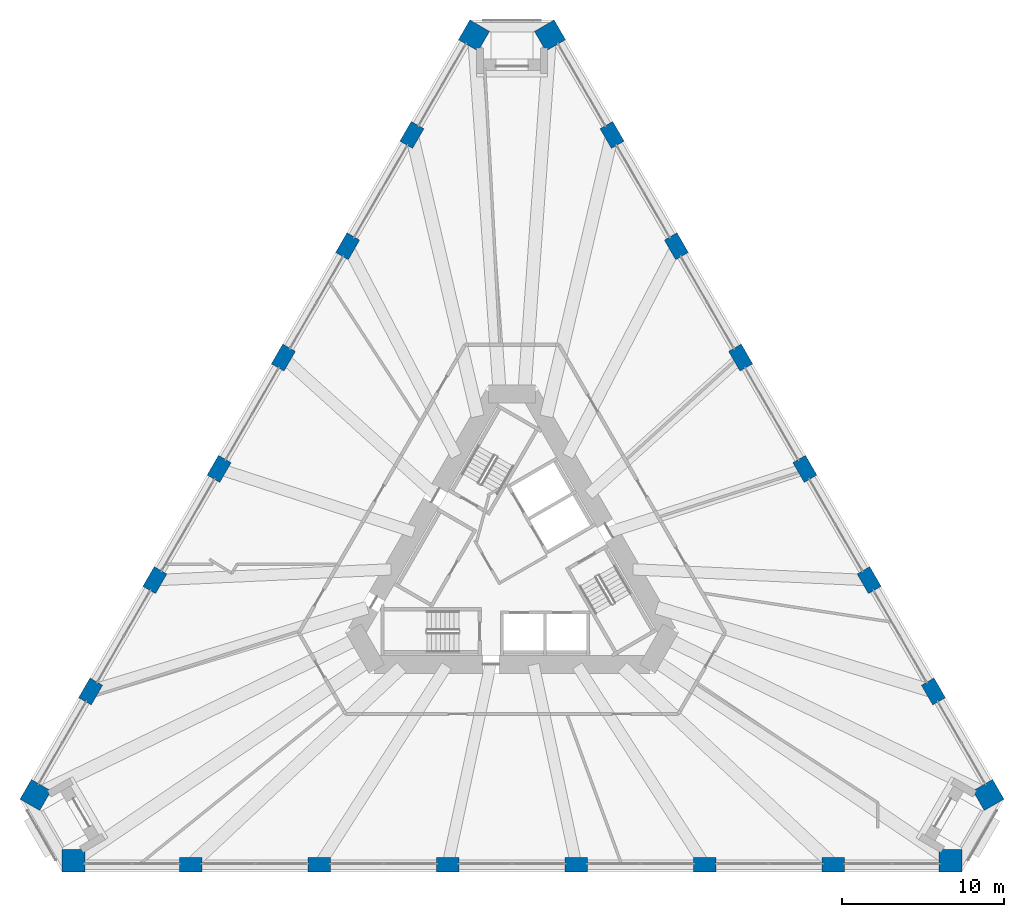
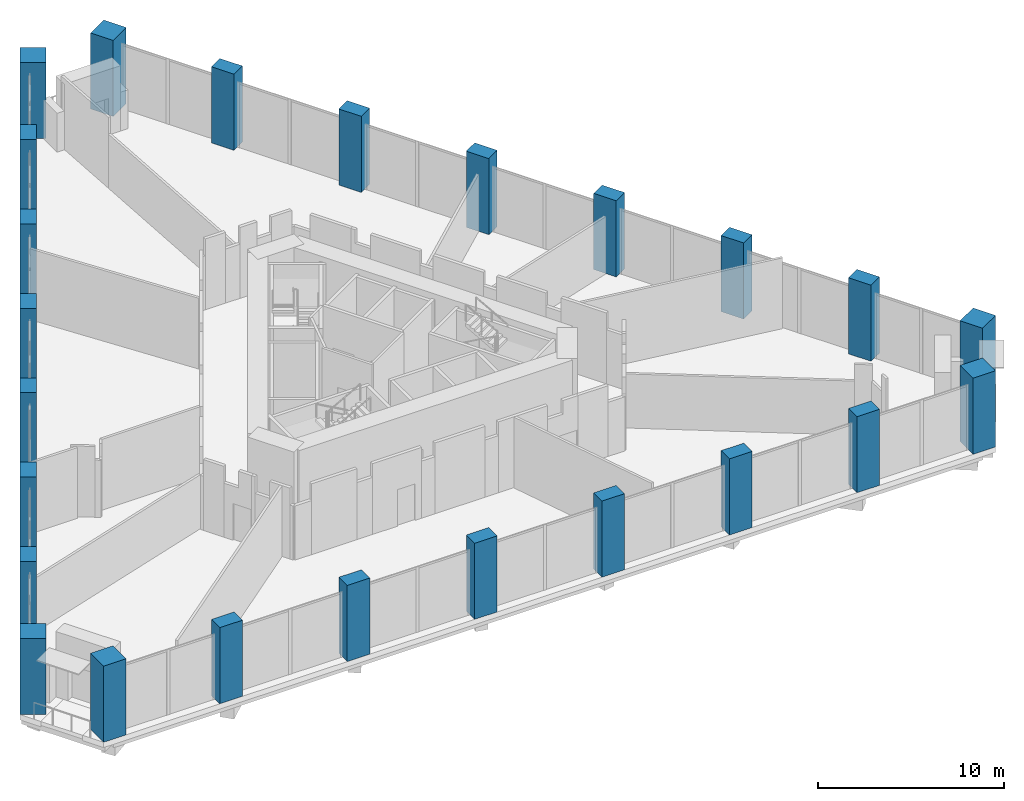
# One storey, part 1 of 20: 24 columns.
"""IFC4 building model written with IfcOpenShell, lengths in metres."""

from ifc_helpers import new_model, si_unit, direction, frame, origin, origin_2d, place, context, subcontext, project, spatial, rectangle, extrude, material, material_profile, profile_set, type_object, element, save


model = new_model("IFC4")

# Units and contexts
model_context = context("Model", 3, precision=1e-05, world=origin(), true_north=direction((0.0, 1.0)))
body_context = subcontext(model_context, "Body", "Model", "MODEL_VIEW")
ifc_project = project(units=[si_unit("LENGTHUNIT", "METRE"), si_unit("AREAUNIT", "SQUARE_METRE"), si_unit("VOLUMEUNIT", "CUBIC_METRE"), si_unit("PLANEANGLEUNIT", "RADIAN"), si_unit("MASSUNIT", "GRAM", prefix="KILO")], contexts=[model_context])

# Site, building, storey
site_placement = place(None, origin())
site = spatial("IfcSite", under=ifc_project, at=site_placement, CompositionType="ELEMENT")
building_placement = place(site_placement, origin())
building = spatial("IfcBuilding", under=site, at=building_placement, Name="Tramontana Tower", CompositionType="ELEMENT")
storey_placement = place(building_placement, frame((0.0, 0.0, 10.0)))
storey = spatial("IfcBuildingStorey", under=building, at=storey_placement, Name="L01", CompositionType="ELEMENT", Elevation=10.0)

# Columns
ifc_material_1 = material(Name="Concrete 70 MPa", Category="concrete")
ifc_material_profile_1 = material_profile(ifc_material_1, rectangle(XDim=1.39990234375, YDim=1.39990234375, at=origin_2d()), Name="Mega column 1400X1400 70 MPa")
ifc_profile_set_1 = profile_set([ifc_material_profile_1], Name="Concrete 70 MPa")
column_type_1 = type_object("IfcColumnType", Name="Mega column 1400X1400 70 MPa", PredefinedType="COLUMN", material=ifc_profile_set_1)
for number, where, z_axis, x_axis, name in (
    (1, (-2.341796875, 32.543701171875, 0.0), (0.0, 0.0, 1.0), (-0.5, -0.866025403784, 0.0), "Mega column C0K1 L01"),
    (2, (-29.354736328125, -14.243896484375, 0.0), (0.0, 0.0, 1.0), (-0.5, -0.866025403784, 0.0), "Mega column C0K2 L01"),
    (3, (-27.0126953125, -18.300048828125, 0.0), (0.0, 0.0, 1.0), (1.0, 0.0, 0.0), "Mega column C0K3 L01"),
    (4, (27.0126953125, -18.300048828125, 0.0), (0.0, 0.0, 1.0), (1.0, 0.0, 0.0), "Mega column C0K4 L01"),
    (5, (29.354736328125, -14.243896484375, 0.0), (0.0, 0.0, 1.0), (-0.5, 0.866025403784, 0.0), "Mega column C0K5 L01"),
    (6, (2.341796875, 32.543701171875, 0.0), (0.0, 0.0, 1.0), (-0.5, 0.866025403784, 0.0), "Mega column C0K6 L01"),
):
    element("IfcColumn", number, at=place(storey_placement, frame(where, z_axis=z_axis, x_axis=x_axis)), inside=storey, type_object=column_type_1, Name=name, PredefinedType="COLUMN", context=body_context, shape_type="SweptSolid", body=[
        extrude(rectangle(XDim=1.39990234375, YDim=1.39990234375, at=origin_2d()), origin(), (0.0, 0.0, 1.0), 5.0),
    ])
ifc_material_2 = material(Name="Concrete 55 MPa", Category="concrete")
ifc_material_profile_2 = material_profile(ifc_material_2, rectangle(XDim=1.39990234375, YDim=0.89990234375, at=origin_2d()), Name="Pier column 1400X900 55 MPa")
ifc_profile_set_2 = profile_set([ifc_material_profile_2], Name="Concrete 55 MPa")
column_type_2 = type_object("IfcColumnType", Name="Pier column 1400X900 55 MPa", PredefinedType="COLUMN", material=ifc_profile_set_2)
for number, where, z_axis, x_axis, name in (
    (7, (-6.167236328125, 26.41796875, 0.0), (0.0, 0.0, 1.0), (-0.5, -0.866025403784, 0.0), "Pier column C0F01 L01"),
    (8, (-10.126220703125, 19.560791015625, 0.0), (0.0, 0.0, 1.0), (-0.5, -0.866025403784, 0.0), "Pier column C0F02 L01"),
    (9, (-14.085205078125, 12.70361328125, 0.0), (0.0, 0.0, 1.0), (-0.5, -0.866025403784, 0.0), "Pier column C0F03 L01"),
    (10, (-18.044189453125, 5.846435546875, 0.0), (0.0, 0.0, 1.0), (-0.5, -0.866025403784, 0.0), "Pier column C0F04 L01"),
    (11, (-22.003173828125, -1.0107421875, 0.0), (0.0, 0.0, 1.0), (-0.5, -0.866025403784, 0.0), "Pier column C0F05 L01"),
    (12, (-25.962158203125, -7.867919921875, 0.0), (0.0, 0.0, 1.0), (-0.5, -0.866025403784, 0.0), "Pier column C0F06 L01"),
    (13, (-19.794921875, -18.550048828125, 0.0), (0.0, 0.0, 1.0), (1.0, 0.0, 0.0), "Pier column C0F07 L01"),
    (14, (-11.876953125, -18.550048828125, 0.0), (0.0, 0.0, 1.0), (1.0, 0.0, 0.0), "Pier column C0F08 L01"),
    (15, (-3.958984375, -18.550048828125, 0.0), (0.0, 0.0, 1.0), (1.0, 0.0, 0.0), "Pier column C0F09 L01"),
    (16, (3.958984375, -18.550048828125, 0.0), (0.0, 0.0, 1.0), (1.0, 0.0, 0.0), "Pier column C0F10 L01"),
    (17, (11.876953125, -18.550048828125, 0.0), (0.0, 0.0, 1.0), (1.0, 0.0, 0.0), "Pier column C0F11 L01"),
    (18, (19.794921875, -18.550048828125, 0.0), (0.0, 0.0, 1.0), (1.0, 0.0, 0.0), "Pier column C0F12 L01"),
    (19, (25.962158203125, -7.867919921875, 0.0), (0.0, 0.0, 1.0), (-0.5, 0.866025403784, 0.0), "Pier column C0F13 L01"),
    (20, (22.003173828125, -1.0107421875, 0.0), (0.0, 0.0, 1.0), (-0.5, 0.866025403784, 0.0), "Pier column C0F14 L01"),
    (21, (18.044189453125, 5.846435546875, 0.0), (0.0, 0.0, 1.0), (-0.5, 0.866025403784, 0.0), "Pier column C0F15 L01"),
    (22, (14.085205078125, 12.70361328125, 0.0), (0.0, 0.0, 1.0), (-0.5, 0.866025403784, 0.0), "Pier column C0F16 L01"),
    (23, (10.126220703125, 19.560791015625, 0.0), (0.0, 0.0, 1.0), (-0.5, 0.866025403784, 0.0), "Pier column C0F17 L01"),
    (24, (6.167236328125, 26.41796875, 0.0), (0.0, 0.0, 1.0), (-0.5, 0.866025403784, 0.0), "Pier column C0F18 L01"),
):
    element("IfcColumn", number, at=place(storey_placement, frame(where, z_axis=z_axis, x_axis=x_axis)), inside=storey, type_object=column_type_2, Name=name, PredefinedType="COLUMN", context=body_context, shape_type="SweptSolid", body=[
        extrude(rectangle(XDim=1.39990234375, YDim=0.89990234375, at=origin_2d()), origin(), (0.0, 0.0, 1.0), 5.0),
    ])

save(model, "model.ifc")
